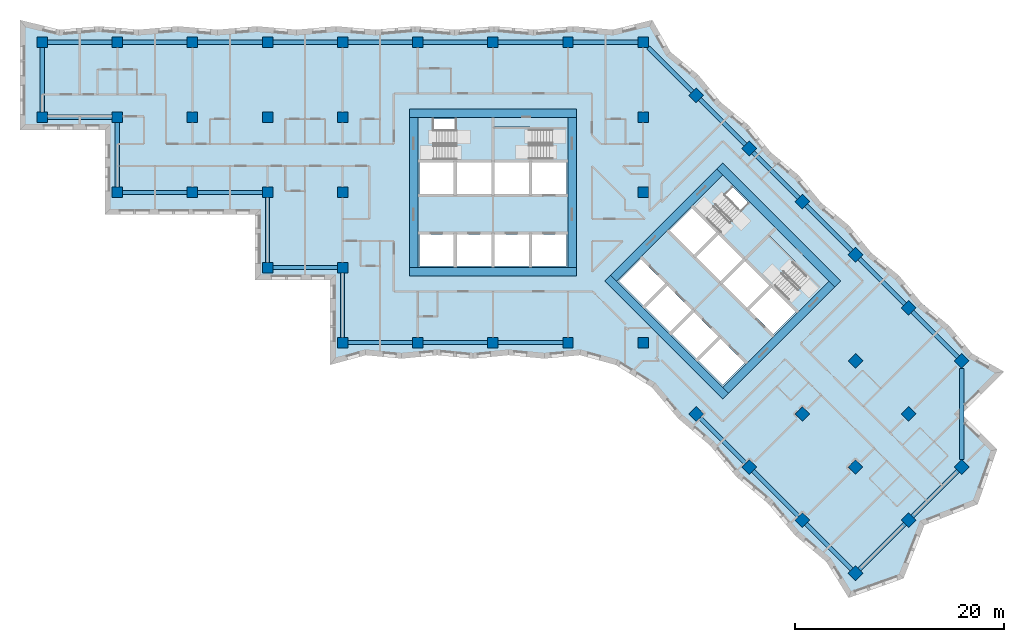
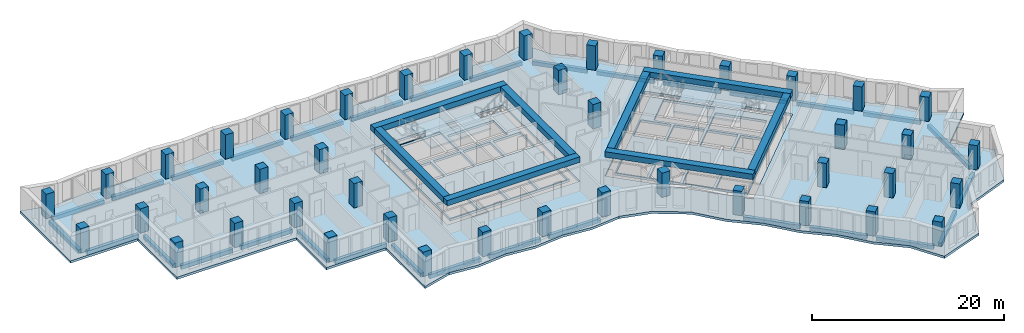
# One storey, part 1 of 12: 43 columns, 39 beams, 7 slabs, 22 openings, 4 elements without a shape of their own.
"""IFC4 building model written with IfcOpenShell, lengths in metres."""

from ifc_helpers import new_model, si_unit, direction, frame, origin, origin_2d, place, context, subcontext, project, spatial, polyline, rectangle, outline, extrude, material, layer, layer_set, material_profile, profile_set, type_object, element, aggregate, save


model = new_model("IFC4")

# Units and contexts
model_context = context("Model", 3, precision=1e-05, world=origin(), true_north=direction((0.0, 1.0)))
body_context = subcontext(model_context, "Body", "Model", "MODEL_VIEW")
ifc_project = project(units=[si_unit("LENGTHUNIT", "METRE"), si_unit("AREAUNIT", "SQUARE_METRE"), si_unit("VOLUMEUNIT", "CUBIC_METRE"), si_unit("PLANEANGLEUNIT", "RADIAN"), si_unit("MASSUNIT", "GRAM", prefix="KILO")], contexts=[model_context])

# Site, building, storey
site_placement = place(None, origin())
site = spatial("IfcSite", under=ifc_project, at=site_placement, CompositionType="ELEMENT")
building_placement = place(site_placement, origin())
building = spatial("IfcBuilding", under=site, at=building_placement, Name="Windrow Commons", CompositionType="ELEMENT")
storey_placement = place(building_placement, frame((0.0, 0.0, 84.6)))
storey = spatial("IfcBuildingStorey", under=building, at=storey_placement, Name="L22", CompositionType="ELEMENT", Elevation=84.6)

# Columns
ifc_material_1 = material(Name="Concrete C60/75", Category="concrete")
ifc_material_profile_1 = material_profile(ifc_material_1, rectangle(XDim=1.0, YDim=1.0, at=origin_2d()))
ifc_profile_set_1 = profile_set([ifc_material_profile_1], Name="Concrete C60/75")
column_type = type_object("IfcColumnType", Name="RC COLUMN 1000x1000 C60/75", PredefinedType="COLUMN", material=ifc_profile_set_1)
for number, where, z_axis, x_axis, name in (
    (1, (21.6, 64.8, 0.0), (0.0, 0.0, 1.0), (1.0, 0.0, 0.0), "C-Z2-04I"),
    (2, (21.6, 72.0, 0.0), (0.0, 0.0, 1.0), (1.0, 0.0, 0.0), "C-Z2-04J"),
    (3, (28.8, 57.6, 0.0), (0.0, 0.0, 1.0), (1.0, 0.0, 0.0), "C-Z2-05H"),
    (4, (28.8, 64.8, 0.0), (0.0, 0.0, 1.0), (1.0, 0.0, 0.0), "C-Z2-05I"),
    (5, (28.8, 72.0, 0.0), (0.0, 0.0, 1.0), (1.0, 0.0, 0.0), "C-Z2-05J"),
    (6, (36.0, 57.6, 0.0), (0.0, 0.0, 1.0), (1.0, 0.0, 0.0), "C-Z2-06H"),
    (7, (36.0, 64.8, 0.0), (0.0, 0.0, 1.0), (1.0, 0.0, 0.0), "C-Z2-06I"),
    (8, (36.0, 72.0, 0.0), (0.0, 0.0, 1.0), (1.0, 0.0, 0.0), "C-Z2-06J"),
    (9, (43.2, 50.4, 0.0), (0.0, 0.0, 1.0), (1.0, 0.0, 0.0), "C-Z2-07G"),
    (10, (43.2, 57.6, 0.0), (0.0, 0.0, 1.0), (1.0, 0.0, 0.0), "C-Z2-07H"),
    (11, (43.2, 64.8, 0.0), (0.0, 0.0, 1.0), (1.0, 0.0, 0.0), "C-Z2-07I"),
    (12, (43.2, 72.0, 0.0), (0.0, 0.0, 1.0), (1.0, 0.0, 0.0), "C-Z2-07J"),
    (13, (50.4, 43.2, 0.0), (0.0, 0.0, 1.0), (1.0, 0.0, 0.0), "C-Z2-08F"),
    (14, (50.4, 50.4, 0.0), (0.0, 0.0, 1.0), (1.0, 0.0, 0.0), "C-Z2-08G"),
    (15, (50.4, 57.6, 0.0), (0.0, 0.0, 1.0), (1.0, 0.0, 0.0), "C-Z2-08H"),
    (16, (50.4, 64.8, 0.0), (0.0, 0.0, 1.0), (1.0, 0.0, 0.0), "C-Z2-08I"),
    (17, (50.4, 72.0, 0.0), (0.0, 0.0, 1.0), (1.0, 0.0, 0.0), "C-Z2-08J"),
    (18, (57.6, 43.2, 0.0), (0.0, 0.0, 1.0), (1.0, 0.0, 0.0), "C-Z2-09F"),
    (19, (57.6, 72.0, 0.0), (0.0, 0.0, 1.0), (1.0, 0.0, 0.0), "C-Z2-09J"),
    (20, (64.8, 43.2, 0.0), (0.0, 0.0, 1.0), (1.0, 0.0, 0.0), "C-Z2-10F"),
    (21, (64.8, 72.0, 0.0), (0.0, 0.0, 1.0), (1.0, 0.0, 0.0), "C-Z2-10J"),
    (22, (72.0, 43.2, 0.0), (0.0, 0.0, 1.0), (1.0, 0.0, 0.0), "C-Z2-11F"),
    (23, (72.0, 72.0, 0.0), (0.0, 0.0, 1.0), (1.0, 0.0, 0.0), "C-Z2-11J"),
    (24, (79.2, 43.2, 0.0), (0.0, 0.0, 1.0), (1.0, 0.0, 0.0), "C-Z2-12F"),
    (25, (79.2, 57.6, 0.0), (0.0, 0.0, 1.0), (1.0, 0.0, 0.0), "C-Z2-12H"),
    (26, (79.2, 64.8, 0.0), (0.0, 0.0, 1.0), (1.0, 0.0, 0.0), "C-Z2-12I"),
    (27, (79.2, 72.0, 0.0), (0.0, 0.0, 1.0), (1.0, 0.0, 0.0), "C-Z2-12J"),
    (28, (84.2912, 66.9088, 0.0), (0.0, 0.0, 1.0), (0.7071067812, -0.7071067812, 0.0), "C-Z2-P2Q"),
    (29, (89.3823, 61.8177, 0.0), (0.0, 0.0, 1.0), (0.7071067812, -0.7071067812, 0.0), "C-Z2-P3Q"),
    (30, (94.4735, 56.7265, 0.0), (0.0, 0.0, 1.0), (0.7071067812, -0.7071067812, 0.0), "C-Z2-P4Q"),
    (31, (99.5647, 51.6353, 0.0), (0.0, 0.0, 1.0), (0.7071067812, -0.7071067812, 0.0), "C-Z2-P5Q"),
    (32, (84.2912, 36.3618, 0.0), (0.0, 0.0, 1.0), (0.7071067812, -0.7071067812, 0.0), "C-Z2-P5T"),
    (33, (104.6558, 46.5442, 0.0), (0.0, 0.0, 1.0), (0.7071067812, -0.7071067812, 0.0), "C-Z2-P6Q"),
    (34, (99.5647, 41.453, 0.0), (0.0, 0.0, 1.0), (0.7071067812, -0.7071067812, 0.0), "C-Z2-P6R"),
    (35, (94.4735, 36.3618, 0.0), (0.0, 0.0, 1.0), (0.7071067812, -0.7071067812, 0.0), "C-Z2-P6S"),
    (36, (89.3823, 31.2706, 0.0), (0.0, 0.0, 1.0), (0.7071067812, -0.7071067812, 0.0), "C-Z2-P6T"),
    (37, (109.747, 41.453, 0.0), (0.0, 0.0, 1.0), (0.7071067812, -0.7071067812, 0.0), "C-Z2-P7Q"),
    (38, (104.6558, 36.3618, 0.0), (0.0, 0.0, 1.0), (0.7071067812, -0.7071067812, 0.0), "C-Z2-P7R"),
    (39, (99.5647, 31.2706, 0.0), (0.0, 0.0, 1.0), (0.7071067812, -0.7071067812, 0.0), "C-Z2-P7S"),
    (40, (94.4735, 26.1795, 0.0), (0.0, 0.0, 1.0), (0.7071067812, -0.7071067812, 0.0), "C-Z2-P7T"),
    (41, (109.747, 31.2706, 0.0), (0.0, 0.0, 1.0), (0.7071067812, -0.7071067812, 0.0), "C-Z2-P8R"),
    (42, (104.6558, 26.1795, 0.0), (0.0, 0.0, 1.0), (0.7071067812, -0.7071067812, 0.0), "C-Z2-P8S"),
    (43, (99.5647, 21.0883, 0.0), (0.0, 0.0, 1.0), (0.7071067812, -0.7071067812, 0.0), "C-Z2-P8T"),
):
    element("IfcColumn", number, at=place(storey_placement, frame(where, z_axis=z_axis, x_axis=x_axis)), inside=storey, type_object=column_type, Name=name, PredefinedType="COLUMN", context=body_context, shape_type="SweptSolid", body=[
        extrude(rectangle(XDim=1.0, YDim=1.0, at=origin_2d()), origin(), (0.0, 0.0, 1.0), 3.1),
    ])

# Beams
ifc_material_2 = material(Name="Concrete C50/60", Category="concrete")
ifc_material_profile_2 = material_profile(ifc_material_2, rectangle(XDim=0.8, YDim=0.7, at=origin_2d()))
ifc_profile_set_2 = profile_set([ifc_material_profile_2], Name="Concrete C50/60")
beam_type_1 = type_object("IfcBeamType", Name="RC COUPLING BEAM 800x700 C50/60", PredefinedType="LINTEL", material=ifc_profile_set_2)
for number, where, z_axis, x_axis, name in (
    (44, (56.8, 50.0, 2.75), (1.0, 0.0, 0.0), (0.0, 1.0, 0.0), "Core A coupling beam outer-S"),
    (45, (56.8, 65.2, 2.75), (1.0, 0.0, 0.0), (0.0, 1.0, 0.0), "Core A coupling beam outer-N"),
):
    element("IfcBeam", number, at=place(storey_placement, frame(where, z_axis=z_axis, x_axis=x_axis)), inside=storey, type_object=beam_type_1, Name=name, PredefinedType="LINTEL", context=body_context, shape_type="SweptSolid", body=[
        extrude(rectangle(XDim=0.8, YDim=0.7, at=origin_2d()), origin(), (0.0, 0.0, 1.0), 16.0),
    ])
for number, where, z_axis, x_axis, name in (
    (46, (57.2, 50.4, 2.75), (0.0, 1.0, 0.0), (-1.0, 0.0, 0.0), "Core A coupling beam outer-W"),
    (47, (72.4, 50.4, 2.75), (0.0, 1.0, 0.0), (-1.0, 0.0, 0.0), "Core A coupling beam outer-E"),
):
    element("IfcBeam", number, at=place(storey_placement, frame(where, z_axis=z_axis, x_axis=x_axis)), inside=storey, type_object=beam_type_1, Name=name, PredefinedType="LINTEL", context=body_context, shape_type="SweptSolid", body=[
        extrude(rectangle(XDim=0.8, YDim=0.7, at=origin_2d()), origin(), (0.0, 0.0, 1.0), 14.4),
    ])
for number, where, z_axis, x_axis, name in (
    (48, (75.8059, 49.3726, 2.75), (0.7071067812, -0.7071067812, 0.0), (0.7071067812, 0.7071067812, 0.0), "Core B coupling beam outer-S"),
    (49, (86.5539, 60.1206, 2.75), (0.7071067812, -0.7071067812, 0.0), (0.7071067812, 0.7071067812, 0.0), "Core B coupling beam outer-N"),
):
    element("IfcBeam", number, at=place(storey_placement, frame(where, z_axis=z_axis, x_axis=x_axis)), inside=storey, type_object=beam_type_1, Name=name, PredefinedType="LINTEL", context=body_context, shape_type="SweptSolid", body=[
        extrude(rectangle(XDim=0.8, YDim=0.7, at=origin_2d()), origin(), (0.0, 0.0, 1.0), 16.0),
    ])
for number, where, z_axis, x_axis, name in (
    (50, (76.3716, 49.3726, 2.75), (0.7071067812, 0.7071067812, 0.0), (-0.7071067812, 0.7071067812, 0.0), "Core B coupling beam outer-W"),
    (51, (87.1196, 38.6246, 2.75), (0.7071067812, 0.7071067812, 0.0), (-0.7071067812, 0.7071067812, 0.0), "Core B coupling beam outer-E"),
):
    element("IfcBeam", number, at=place(storey_placement, frame(where, z_axis=z_axis, x_axis=x_axis)), inside=storey, type_object=beam_type_1, Name=name, PredefinedType="LINTEL", context=body_context, shape_type="SweptSolid", body=[
        extrude(rectangle(XDim=0.8, YDim=0.7, at=origin_2d()), origin(), (0.0, 0.0, 1.0), 14.3999),
    ])
ifc_material_3 = material(Name="Concrete C50/60", Category="concrete")
ifc_material_profile_3 = material_profile(ifc_material_3, rectangle(XDim=0.4, YDim=0.5, at=origin_2d()))
ifc_profile_set_3 = profile_set([ifc_material_profile_3], Name="Concrete C50/60")
beam_type_2 = type_object("IfcBeamType", Name="RC EDGE BEAM 400x500 C50/60", PredefinedType="SPANDREL", material=ifc_profile_set_3)
for number, where, z_axis, x_axis, name in (
    (52, (35.5, 57.6, -0.55), (-1.0, 0.0, 0.0), (0.0, -1.0, 0.0), "Edge beam L22 001"),
    (53, (28.8, 58.1, -0.55), (0.0, 1.0, 0.0), (-1.0, 0.0, 0.0), "Edge beam L22 002"),
    (54, (28.3, 64.8, -0.55), (-1.0, 0.0, 0.0), (0.0, -1.0, 0.0), "Edge beam L22 003"),
    (55, (21.6, 65.3, -0.55), (0.0, 1.0, 0.0), (-1.0, 0.0, 0.0), "Edge beam L22 004"),
    (56, (22.1, 72.0, -0.55), (1.0, 0.0, 0.0), (0.0, 1.0, 0.0), "Edge beam L22 005"),
    (57, (29.3, 72.0, -0.55), (1.0, 0.0, 0.0), (0.0, 1.0, 0.0), "Edge beam L22 006"),
    (58, (36.5, 72.0, -0.55), (1.0, 0.0, 0.0), (0.0, 1.0, 0.0), "Edge beam L22 007"),
    (59, (43.7, 72.0, -0.55), (1.0, 0.0, 0.0), (0.0, 1.0, 0.0), "Edge beam L22 008"),
    (60, (50.9, 72.0, -0.55), (1.0, 0.0, 0.0), (0.0, 1.0, 0.0), "Edge beam L22 009"),
    (61, (58.1, 72.0, -0.55), (1.0, 0.0, 0.0), (0.0, 1.0, 0.0), "Edge beam L22 010"),
    (62, (65.3, 72.0, -0.55), (1.0, 0.0, 0.0), (0.0, 1.0, 0.0), "Edge beam L22 011"),
    (63, (72.5, 72.0, -0.55), (1.0, 0.0, 0.0), (0.0, 1.0, 0.0), "Edge beam L22 012"),
):
    element("IfcBeam", number, at=place(storey_placement, frame(where, z_axis=z_axis, x_axis=x_axis)), inside=storey, type_object=beam_type_2, Name=name, PredefinedType="SPANDREL", context=body_context, shape_type="SweptSolid", body=[
        extrude(rectangle(XDim=0.4, YDim=0.5, at=origin_2d()), origin(), (0.0, 0.0, 1.0), 6.2),
    ])
beam_1_placement = place(storey_placement, frame((79.7, 71.5, -0.55), z_axis=(0.7071067812, -0.7071067812, 0.0), x_axis=(0.7071067812, 0.7071067812, 0.0)))
element("IfcBeam", 64, at=beam_1_placement, inside=storey, type_object=beam_type_2, Name="Edge beam L22 013", PredefinedType="SPANDREL", context=body_context, shape_type="SweptSolid", body=[
    extrude(rectangle(XDim=0.4, YDim=0.5, at=origin_2d()), origin(), (0.0, 0.0, 1.0), 5.9929),
])
beam_2_placement = place(storey_placement, frame((84.6448, 66.5552, -0.55), z_axis=(0.7071067812, -0.7071067812, 0.0), x_axis=(0.7071067812, 0.7071067812, 0.0)))
element("IfcBeam", 65, at=beam_2_placement, inside=storey, type_object=beam_type_2, Name="Edge beam L22 014", PredefinedType="SPANDREL", context=body_context, shape_type="SweptSolid", body=[
    extrude(rectangle(XDim=0.4, YDim=0.5, at=origin_2d()), origin(), (0.0, 0.0, 1.0), 6.1998),
])
for number, where, z_axis, x_axis, name in (
    (66, (89.7359, 61.4641, -0.55), (0.7071067812, -0.7071067812, 0.0), (0.7071067812, 0.7071067812, 0.0), "Edge beam L22 015"),
    (67, (94.8271, 56.3729, -0.55), (0.7071067812, -0.7071067812, 0.0), (0.7071067812, 0.7071067812, 0.0), "Edge beam L22 016"),
):
    element("IfcBeam", number, at=place(storey_placement, frame(where, z_axis=z_axis, x_axis=x_axis)), inside=storey, type_object=beam_type_2, Name=name, PredefinedType="SPANDREL", context=body_context, shape_type="SweptSolid", body=[
        extrude(rectangle(XDim=0.4, YDim=0.5, at=origin_2d()), origin(), (0.0, 0.0, 1.0), 6.1999),
    ])
beam_3_placement = place(storey_placement, frame((99.9183, 51.2817, -0.55), z_axis=(0.7071067812, -0.7071067812, 0.0), x_axis=(0.7071067812, 0.7071067812, 0.0)))
element("IfcBeam", 68, at=beam_3_placement, inside=storey, type_object=beam_type_2, Name="Edge beam L22 017", PredefinedType="SPANDREL", context=body_context, shape_type="SweptSolid", body=[
    extrude(rectangle(XDim=0.4, YDim=0.5, at=origin_2d()), origin(), (0.0, 0.0, 1.0), 6.1998),
])
beam_4_placement = place(storey_placement, frame((105.0094, 46.1906, -0.55), z_axis=(0.7071067812, -0.7071067812, 0.0), x_axis=(0.7071067812, 0.7071067812, 0.0)))
element("IfcBeam", 69, at=beam_4_placement, inside=storey, type_object=beam_type_2, Name="Edge beam L22 018", PredefinedType="SPANDREL", context=body_context, shape_type="SweptSolid", body=[
    extrude(rectangle(XDim=0.4, YDim=0.5, at=origin_2d()), origin(), (0.0, 0.0, 1.0), 6.1999),
])
beam_5_placement = place(storey_placement, frame((109.747, 40.7459, -0.55), z_axis=(0.0, -1.0, 0.0), x_axis=(1.0, 0.0, 0.0)))
element("IfcBeam", 70, at=beam_5_placement, inside=storey, type_object=beam_type_2, Name="Edge beam L22 019", PredefinedType="SPANDREL", context=body_context, shape_type="SweptSolid", body=[
    extrude(rectangle(XDim=0.4, YDim=0.5, at=origin_2d()), origin(), (0.0, 0.0, 1.0), 8.7682),
])
for number, where, z_axis, x_axis, name in (
    (71, (109.3934, 30.917, -0.55), (-0.7071148459, -0.7070987164, 0.0), (0.7070987164, -0.7071148459, 0.0), "Edge beam L22 020"),
    (72, (104.3022, 25.8259, -0.55), (-0.7070987164, -0.7071148459, 0.0), (0.7071148459, -0.7070987164, 0.0), "Edge beam L22 021"),
):
    element("IfcBeam", number, at=place(storey_placement, frame(where, z_axis=z_axis, x_axis=x_axis)), inside=storey, type_object=beam_type_2, Name=name, PredefinedType="SPANDREL", context=body_context, shape_type="SweptSolid", body=[
        extrude(rectangle(XDim=0.4, YDim=0.5, at=origin_2d()), origin(), (0.0, 0.0, 1.0), 6.1998),
    ])
beam_6_placement = place(storey_placement, frame((99.2111, 21.4419, -0.55), z_axis=(-0.7071067812, 0.7071067812, 0.0), x_axis=(-0.7071067812, -0.7071067812, 0.0)))
element("IfcBeam", 73, at=beam_6_placement, inside=storey, type_object=beam_type_2, Name="Edge beam L22 022", PredefinedType="SPANDREL", context=body_context, shape_type="SweptSolid", body=[
    extrude(rectangle(XDim=0.4, YDim=0.5, at=origin_2d()), origin(), (0.0, 0.0, 1.0), 6.1999),
])
for number, where, z_axis, x_axis, name in (
    (74, (94.1199, 26.5331, -0.55), (-0.7071148459, 0.7070987164, 0.0), (-0.7070987164, -0.7071148459, 0.0), "Edge beam L22 023"),
    (75, (89.0287, 31.6242, -0.55), (-0.7070987164, 0.7071148459, 0.0), (-0.7071148459, -0.7070987164, 0.0), "Edge beam L22 024"),
):
    element("IfcBeam", number, at=place(storey_placement, frame(where, z_axis=z_axis, x_axis=x_axis)), inside=storey, type_object=beam_type_2, Name=name, PredefinedType="SPANDREL", context=body_context, shape_type="SweptSolid", body=[
        extrude(rectangle(XDim=0.4, YDim=0.5, at=origin_2d()), origin(), (0.0, 0.0, 1.0), 6.1998),
    ])
for number, where, z_axis, x_axis, name in (
    (76, (71.5, 43.2, -0.55), (-1.0, 0.0, 0.0), (0.0, -1.0, 0.0), "Edge beam L22 025"),
    (77, (64.3, 43.2, -0.55), (-1.0, 0.0, 0.0), (0.0, -1.0, 0.0), "Edge beam L22 026"),
    (78, (57.1, 43.2, -0.55), (-1.0, 0.0, 0.0), (0.0, -1.0, 0.0), "Edge beam L22 027"),
    (79, (50.4, 43.7, -0.55), (0.0, 1.0, 0.0), (-1.0, 0.0, 0.0), "Edge beam L22 028"),
    (80, (49.9, 50.4, -0.55), (-1.0, 0.0, 0.0), (0.0, -1.0, 0.0), "Edge beam L22 029"),
    (81, (43.2, 50.9, -0.55), (0.0, 1.0, 0.0), (-1.0, 0.0, 0.0), "Edge beam L22 030"),
    (82, (42.7, 57.6, -0.55), (-1.0, 0.0, 0.0), (0.0, -1.0, 0.0), "Edge beam L22 031"),
):
    element("IfcBeam", number, at=place(storey_placement, frame(where, z_axis=z_axis, x_axis=x_axis)), inside=storey, type_object=beam_type_2, Name=name, PredefinedType="SPANDREL", context=body_context, shape_type="SweptSolid", body=[
        extrude(rectangle(XDim=0.4, YDim=0.5, at=origin_2d()), origin(), (0.0, 0.0, 1.0), 6.2),
    ])

# Slab, openings
ifc_material_4 = material(Name="Concrete C50/60", Category="concrete")
ifc_layer_1 = layer(ifc_material_4, 0.3)
ifc_layer_set_1 = layer_set([ifc_layer_1], Name="CORE FLOOR SLAB 300 C50/60")
slab_type_1 = type_object("IfcSlabType", Name="CORE FLOOR SLAB 300 C50/60", PredefinedType="FLOOR", material=ifc_layer_set_1)
placement_1 = place(storey_placement, frame((0.0, 0.0, -0.3)))
slab_1 = element("IfcSlab", 83, at=placement_1, inside=storey, type_object=slab_type_1, Name="S-L22-core-A", PredefinedType="FLOOR", context=body_context, shape_type="SweptSolid", body=[
    extrude(outline(polyline([(57.6, 50.4), (72.0, 50.4), (72.0, 64.8), (57.6, 64.8), (57.6, 50.4)]), holes=[polyline([(57.75, 50.55), (61.05, 50.55), (61.05, 53.55), (57.75, 53.55), (57.75, 50.55)]), polyline([(61.35, 50.55), (64.65, 50.55), (64.65, 53.55), (61.35, 53.55), (61.35, 50.55)]), polyline([(64.95, 50.55), (68.25, 50.55), (68.25, 53.55), (64.95, 53.55), (64.95, 50.55)]), polyline([(68.55, 50.55), (71.85, 50.55), (71.85, 53.55), (68.55, 53.55), (68.55, 50.55)]), polyline([(57.75, 57.45), (61.05, 57.45), (61.05, 60.45), (57.75, 60.45), (57.75, 57.45)]), polyline([(61.35, 57.45), (64.65, 57.45), (64.65, 60.45), (61.35, 60.45), (61.35, 57.45)]), polyline([(64.95, 57.45), (68.25, 57.45), (68.25, 60.45), (64.95, 60.45), (64.95, 57.45)]), polyline([(68.55, 57.45), (71.85, 57.45), (71.85, 60.45), (68.55, 60.45), (68.55, 57.45)]), polyline([(59.1, 60.75), (64.65, 60.75), (64.65, 64.65), (59.1, 64.65), (59.1, 60.75)]), polyline([(64.95, 60.75), (70.5, 60.75), (70.5, 63.705), (64.95, 63.705), (64.95, 60.75)])]), origin(), (0.0, 0.0, 1.0), 0.3),
])
opening_1_placement = place(placement_1, origin())
element("IfcOpeningElement", 84, at=opening_1_placement, cuts=slab_1, Name="Slab opening S-L22-core-A 1", PredefinedType="OPENING", context=body_context, shape_type="SweptSolid", body=[
    extrude(outline(polyline([(57.755, 50.555), (57.755, 53.545), (61.045, 53.545), (61.045, 50.555), (57.755, 50.555)])), origin(), (0.0, 0.0, 1.0), 0.3),
])
opening_2_placement = place(placement_1, origin())
element("IfcOpeningElement", 85, at=opening_2_placement, cuts=slab_1, Name="Slab opening S-L22-core-A 2", PredefinedType="OPENING", context=body_context, shape_type="SweptSolid", body=[
    extrude(outline(polyline([(61.355, 50.555), (61.355, 53.545), (64.645, 53.545), (64.645, 50.555), (61.355, 50.555)])), origin(), (0.0, 0.0, 1.0), 0.3),
])
opening_3_placement = place(placement_1, origin())
element("IfcOpeningElement", 86, at=opening_3_placement, cuts=slab_1, Name="Slab opening S-L22-core-A 3", PredefinedType="OPENING", context=body_context, shape_type="SweptSolid", body=[
    extrude(outline(polyline([(64.955, 50.555), (64.955, 53.545), (68.245, 53.545), (68.245, 50.555), (64.955, 50.555)])), origin(), (0.0, 0.0, 1.0), 0.3),
])
opening_4_placement = place(placement_1, origin())
element("IfcOpeningElement", 87, at=opening_4_placement, cuts=slab_1, Name="Slab opening S-L22-core-A 4", PredefinedType="OPENING", context=body_context, shape_type="SweptSolid", body=[
    extrude(outline(polyline([(68.555, 50.555), (68.555, 53.545), (71.845, 53.545), (71.845, 50.555), (68.555, 50.555)])), origin(), (0.0, 0.0, 1.0), 0.3),
])
opening_5_placement = place(placement_1, origin())
element("IfcOpeningElement", 88, at=opening_5_placement, cuts=slab_1, Name="Slab opening S-L22-core-A 5", PredefinedType="OPENING", context=body_context, shape_type="SweptSolid", body=[
    extrude(outline(polyline([(57.755, 57.455), (57.755, 60.445), (61.045, 60.445), (61.045, 57.455), (57.755, 57.455)])), origin(), (0.0, 0.0, 1.0), 0.3),
])
opening_6_placement = place(placement_1, origin())
element("IfcOpeningElement", 89, at=opening_6_placement, cuts=slab_1, Name="Slab opening S-L22-core-A 6", PredefinedType="OPENING", context=body_context, shape_type="SweptSolid", body=[
    extrude(outline(polyline([(61.355, 57.455), (61.355, 60.445), (64.645, 60.445), (64.645, 57.455), (61.355, 57.455)])), origin(), (0.0, 0.0, 1.0), 0.3),
])
opening_7_placement = place(placement_1, origin())
element("IfcOpeningElement", 90, at=opening_7_placement, cuts=slab_1, Name="Slab opening S-L22-core-A 7", PredefinedType="OPENING", context=body_context, shape_type="SweptSolid", body=[
    extrude(outline(polyline([(64.955, 57.455), (64.955, 60.445), (68.245, 60.445), (68.245, 57.455), (64.955, 57.455)])), origin(), (0.0, 0.0, 1.0), 0.3),
])
opening_8_placement = place(placement_1, origin())
element("IfcOpeningElement", 91, at=opening_8_placement, cuts=slab_1, Name="Slab opening S-L22-core-A 8", PredefinedType="OPENING", context=body_context, shape_type="SweptSolid", body=[
    extrude(outline(polyline([(68.555, 57.455), (68.555, 60.445), (71.845, 60.445), (71.845, 57.455), (68.555, 57.455)])), origin(), (0.0, 0.0, 1.0), 0.3),
])
opening_9_placement = place(placement_1, origin())
element("IfcOpeningElement", 92, at=opening_9_placement, cuts=slab_1, Name="Slab opening S-L22-core-A 9", PredefinedType="OPENING", context=body_context, shape_type="SweptSolid", body=[
    extrude(outline(polyline([(59.105, 60.755), (59.105, 64.645), (64.645, 64.645), (64.645, 60.755), (59.105, 60.755)])), origin(), (0.0, 0.0, 1.0), 0.3),
])
opening_10_placement = place(placement_1, origin())
element("IfcOpeningElement", 93, at=opening_10_placement, cuts=slab_1, Name="Slab opening S-L22-core-A 10", PredefinedType="OPENING", context=body_context, shape_type="SweptSolid", body=[
    extrude(outline(polyline([(64.955, 60.755), (64.955, 63.7), (70.495, 63.7), (70.495, 60.755), (64.955, 60.755)])), origin(), (0.0, 0.0, 1.0), 0.3),
])

slab_2 = element("IfcSlab", 94, at=placement_1, inside=storey, type_object=slab_type_1, Name="S-L22-core-B", PredefinedType="FLOOR", context=body_context, shape_type="SweptSolid", body=[
    extrude(outline(polyline([(76.6544, 49.0897), (86.8368, 38.9074), (97.0191, 49.0897), (86.8368, 59.2721), (76.6544, 49.0897)]), holes=[polyline([(76.8665, 49.0897), (79.2, 46.7563), (81.3213, 48.8776), (78.9879, 51.2111), (76.8665, 49.0897)]), polyline([(79.4121, 46.5442), (81.7456, 44.2107), (83.8669, 46.332), (81.5335, 48.6655), (79.4121, 46.5442)]), polyline([(81.9577, 43.9986), (84.2912, 41.6651), (86.4125, 43.7864), (84.079, 46.1199), (81.9577, 43.9986)]), polyline([(84.5033, 41.453), (86.8368, 39.1195), (88.9581, 41.2409), (86.6246, 43.5743), (84.5033, 41.453)]), polyline([(81.7456, 53.9688), (84.079, 51.6353), (86.2004, 53.7566), (83.8669, 56.0901), (81.7456, 53.9688)]), polyline([(84.2912, 51.4232), (86.6246, 49.0897), (88.7459, 51.2111), (86.4125, 53.5445), (84.2912, 51.4232)]), polyline([(86.8368, 48.8776), (89.1702, 46.5442), (91.2915, 48.6655), (88.9581, 50.9989), (86.8368, 48.8776)]), polyline([(89.3823, 46.332), (91.7158, 43.9986), (93.8371, 46.1199), (91.5037, 48.4533), (89.3823, 46.332)]), polyline([(85.0336, 55.3476), (88.9581, 51.4232), (91.7158, 54.1809), (87.7913, 58.1054), (85.0336, 55.3476)]), polyline([(89.1702, 51.2111), (93.0946, 47.2866), (95.1841, 49.3761), (91.2597, 53.3006), (89.1702, 51.2111)])]), origin(), (0.0, 0.0, 1.0), 0.3),
])
opening_11_placement = place(placement_1, origin())
element("IfcOpeningElement", 95, at=opening_11_placement, cuts=slab_2, Name="Slab opening S-L22-core-B 1", PredefinedType="OPENING", context=body_context, shape_type="SweptSolid", body=[
    extrude(outline(polyline([(76.8736, 49.0897), (78.9879, 51.204), (81.3142, 48.8776), (79.2, 46.7634), (76.8736, 49.0897)])), origin(), (0.0, 0.0, 1.0), 0.3),
])
opening_12_placement = place(placement_1, origin())
element("IfcOpeningElement", 96, at=opening_12_placement, cuts=slab_2, Name="Slab opening S-L22-core-B 2", PredefinedType="OPENING", context=body_context, shape_type="SweptSolid", body=[
    extrude(outline(polyline([(79.4192, 46.5442), (81.5335, 48.6584), (83.8598, 46.332), (81.7456, 44.2178), (79.4192, 46.5442)])), origin(), (0.0, 0.0, 1.0), 0.3),
])
opening_13_placement = place(placement_1, origin())
element("IfcOpeningElement", 97, at=opening_13_placement, cuts=slab_2, Name="Slab opening S-L22-core-B 3", PredefinedType="OPENING", context=body_context, shape_type="SweptSolid", body=[
    extrude(outline(polyline([(81.9648, 43.9986), (84.079, 46.1128), (86.4054, 43.7864), (84.2912, 41.6722), (81.9648, 43.9986)])), origin(), (0.0, 0.0, 1.0), 0.3),
])
opening_14_placement = place(placement_1, origin())
element("IfcOpeningElement", 98, at=opening_14_placement, cuts=slab_2, Name="Slab opening S-L22-core-B 4", PredefinedType="OPENING", context=body_context, shape_type="SweptSolid", body=[
    extrude(outline(polyline([(84.5104, 41.453), (86.6246, 43.5672), (88.951, 41.2409), (86.8368, 39.1266), (84.5104, 41.453)])), origin(), (0.0, 0.0, 1.0), 0.3),
])
opening_15_placement = place(placement_1, origin())
element("IfcOpeningElement", 99, at=opening_15_placement, cuts=slab_2, Name="Slab opening S-L22-core-B 5", PredefinedType="OPENING", context=body_context, shape_type="SweptSolid", body=[
    extrude(outline(polyline([(81.7527, 53.9688), (83.8669, 56.083), (86.1933, 53.7566), (84.079, 51.6424), (81.7527, 53.9688)])), origin(), (0.0, 0.0, 1.0), 0.3),
])
opening_16_placement = place(placement_1, origin())
element("IfcOpeningElement", 100, at=opening_16_placement, cuts=slab_2, Name="Slab opening S-L22-core-B 6", PredefinedType="OPENING", context=body_context, shape_type="SweptSolid", body=[
    extrude(outline(polyline([(84.2983, 51.4232), (86.4125, 53.5374), (88.7388, 51.2111), (86.6246, 49.0968), (84.2983, 51.4232)])), origin(), (0.0, 0.0, 1.0), 0.3),
])
opening_17_placement = place(placement_1, origin())
element("IfcOpeningElement", 101, at=opening_17_placement, cuts=slab_2, Name="Slab opening S-L22-core-B 7", PredefinedType="OPENING", context=body_context, shape_type="SweptSolid", body=[
    extrude(outline(polyline([(86.8439, 48.8776), (88.9581, 50.9918), (91.2844, 48.6655), (89.1702, 46.5513), (86.8439, 48.8776)])), origin(), (0.0, 0.0, 1.0), 0.3),
])
opening_18_placement = place(placement_1, origin())
element("IfcOpeningElement", 102, at=opening_18_placement, cuts=slab_2, Name="Slab opening S-L22-core-B 8", PredefinedType="OPENING", context=body_context, shape_type="SweptSolid", body=[
    extrude(outline(polyline([(89.3894, 46.332), (91.5037, 48.4462), (93.83, 46.1199), (91.7158, 44.0057), (89.3894, 46.332)])), origin(), (0.0, 0.0, 1.0), 0.3),
])
opening_19_placement = place(placement_1, origin())
element("IfcOpeningElement", 103, at=opening_19_placement, cuts=slab_2, Name="Slab opening S-L22-core-B 9", PredefinedType="OPENING", context=body_context, shape_type="SweptSolid", body=[
    extrude(outline(polyline([(85.0407, 55.3476), (87.7913, 58.0983), (91.7087, 54.1809), (88.9581, 51.4303), (85.0407, 55.3476)])), origin(), (0.0, 0.0, 1.0), 0.3),
])
opening_20_placement = place(placement_1, origin())
element("IfcOpeningElement", 104, at=opening_20_placement, cuts=slab_2, Name="Slab opening S-L22-core-B 10", PredefinedType="OPENING", context=body_context, shape_type="SweptSolid", body=[
    extrude(outline(polyline([(89.1773, 51.2111), (91.2597, 53.2935), (95.177, 49.3761), (93.0946, 47.2937), (89.1773, 51.2111)])), origin(), (0.0, 0.0, 1.0), 0.3),
])

# Stair, slab
ifc_material_5 = material(Name="Concrete C40/50", Category="concrete")
stair_type = type_object("IfcStairType", Name="Core stair", PredefinedType="HALF_TURN_STAIR", material=ifc_material_5)
placement_2 = place(storey_placement, origin())
stair_1 = element("IfcStair", 105, at=placement_2, inside=storey, type_object=stair_type, Name="L22 Exit stair A1 core A", PredefinedType="HALF_TURN_STAIR")
ifc_material_6 = material(Name="Concrete C40/50", Category="concrete")
ifc_layer_2 = layer(ifc_material_6, 0.2)
ifc_layer_set_2 = layer_set([ifc_layer_2], Name="Core stair landing")
slab_type_2 = type_object("IfcSlabType", Name="Core stair landing", PredefinedType="LANDING", material=ifc_layer_set_2)
placement_3 = place(storey_placement, frame((0.0, 0.0, 1.5)))
slab_3 = element("IfcSlab", 106, at=placement_3, type_object=slab_type_2, Name="ST-A1 landing 1", PredefinedType="LANDING", context=body_context, shape_type="SweptSolid", body=[
    extrude(outline(polyline([(61.22, 60.5), (64.8, 60.5), (64.8, 64.9), (61.22, 64.9), (61.22, 60.5)])), origin(), (0.0, 0.0, 1.0), 0.2),
])
aggregate(stair_1, [slab_3])

stair_2 = element("IfcStair", 107, at=placement_2, inside=storey, type_object=stair_type, Name="L22 Exit stair A2 core A", PredefinedType="HALF_TURN_STAIR")
slab_4 = element("IfcSlab", 108, at=placement_3, type_object=slab_type_2, Name="ST-A2 landing 1", PredefinedType="LANDING", context=body_context, shape_type="SweptSolid", body=[
    extrude(outline(polyline([(64.8, 60.5), (68.38, 60.5), (68.38, 63.855), (64.8, 63.855), (64.8, 60.5)])), origin(), (0.0, 0.0, 1.0), 0.2),
])
aggregate(stair_2, [slab_4])

stair_3 = element("IfcStair", 109, at=placement_2, inside=storey, type_object=stair_type, Name="L22 Exit stair B1 core B", PredefinedType="HALF_TURN_STAIR")
slab_5 = element("IfcSlab", 110, at=placement_3, type_object=slab_type_2, Name="ST-B1 landing 1", PredefinedType="LANDING", context=body_context, shape_type="SweptSolid", body=[
    extrude(outline(polyline([(86.3559, 53.6718), (88.8874, 51.1403), (91.9986, 54.2516), (89.4672, 56.7831), (86.3559, 53.6718)])), origin(), (0.0, 0.0, 1.0), 0.2),
])
aggregate(stair_3, [slab_5])

stair_4 = element("IfcStair", 111, at=placement_2, inside=storey, type_object=stair_type, Name="L22 Exit stair B2 core B", PredefinedType="HALF_TURN_STAIR")
slab_6 = element("IfcSlab", 112, at=placement_3, type_object=slab_type_2, Name="ST-B2 landing 1", PredefinedType="LANDING", context=body_context, shape_type="SweptSolid", body=[
    extrude(outline(polyline([(88.8874, 51.1403), (91.4188, 48.6089), (93.7911, 50.9812), (91.2597, 53.5127), (88.8874, 51.1403)])), origin(), (0.0, 0.0, 1.0), 0.2),
])
aggregate(stair_4, [slab_6])

# Slab, openings
ifc_material_7 = material(Name="Concrete C50/60", Category="concrete")
ifc_layer_3 = layer(ifc_material_7, 0.3)
ifc_layer_set_3 = layer_set([ifc_layer_3], Name="FLOOR SLAB 300 C50/60")
slab_type_3 = type_object("IfcSlabType", Name="FLOOR SLAB 300 C50/60", PredefinedType="FLOOR", material=ifc_layer_set_3)
slab_7 = element("IfcSlab", 113, at=placement_1, inside=storey, type_object=slab_type_3, Name="S-L22-floor", PredefinedType="FLOOR", context=body_context, shape_type="SweptSolid", body=[
    extrude(outline(polyline([(96.7726, 22.1833), (98.9071, 18.7337), (104.1626, 20.5951), (106.1655, 25.7093), (111.2797, 27.7121), (113.1411, 32.9677), (109.747, 36.3618), (113.7987, 40.4135), (110.7328, 42.1642), (108.5578, 44.8059), (105.9162, 46.9809), (103.7412, 49.6225), (101.0995, 51.7975), (98.9246, 54.4392), (96.2829, 56.6141), (94.1079, 59.2558), (91.4663, 61.4308), (89.2913, 64.0725), (86.6496, 66.2474), (84.4747, 68.8891), (81.833, 71.0641), (80.0823, 74.13), (76.294, 73.2), (72.5058, 73.53), (68.7175, 73.2), (64.9292, 73.53), (61.141, 73.2), (57.3527, 73.53), (53.5644, 73.2), (49.7762, 73.53), (45.9879, 73.2), (42.1996, 73.53), (38.4113, 73.2), (34.6231, 73.53), (30.8348, 73.2), (27.0465, 73.53), (23.2583, 73.2), (19.47, 74.13), (19.47, 63.6), (27.6, 63.6), (27.6, 55.47), (42.0, 55.47), (42.0, 49.2), (49.2, 49.2), (49.2, 41.07), (52.6213, 42.0), (56.0427, 41.67), (59.464, 42.0), (62.8853, 41.67), (66.3067, 42.0), (69.728, 41.67), (73.1493, 42.0), (76.5707, 41.07), (80.0203, 38.9356), (82.579, 35.9102), (85.6044, 33.3515), (88.1631, 30.3261), (91.1885, 27.7674), (93.7473, 24.742), (96.7726, 22.1833)]), holes=[polyline([(75.523, 49.0897), (86.8368, 60.4034), (98.1505, 49.0897), (86.8368, 37.776), (75.523, 49.0897)]), polyline([(56.8, 49.6), (56.8, 65.6), (72.8, 65.6), (72.8, 49.6), (56.8, 49.6)])]), origin(), (0.0, 0.0, 1.0), 0.3),
])
opening_21_placement = place(placement_1, origin())
element("IfcOpeningElement", 114, at=opening_21_placement, cuts=slab_7, Name="Slab opening S-L22-floor 1", PredefinedType="OPENING", context=body_context, shape_type="SweptSolid", body=[
    extrude(outline(polyline([(75.5301, 49.0897), (86.8368, 60.3963), (98.1434, 49.0897), (86.8368, 37.7831), (75.5301, 49.0897)])), origin(), (0.0, 0.0, 1.0), 0.3),
])
opening_22_placement = place(placement_1, origin())
element("IfcOpeningElement", 115, at=opening_22_placement, cuts=slab_7, Name="Slab opening S-L22-floor 2", PredefinedType="OPENING", context=body_context, shape_type="SweptSolid", body=[
    extrude(outline(polyline([(56.805, 49.605), (56.805, 65.595), (72.795, 65.595), (72.795, 49.605), (56.805, 49.605)])), origin(), (0.0, 0.0, 1.0), 0.3),
])

save(model, "model.ifc")
